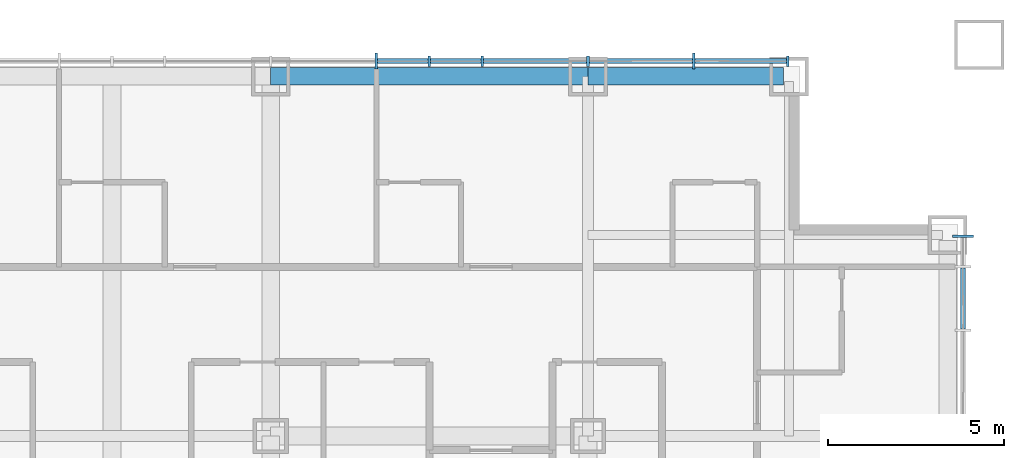
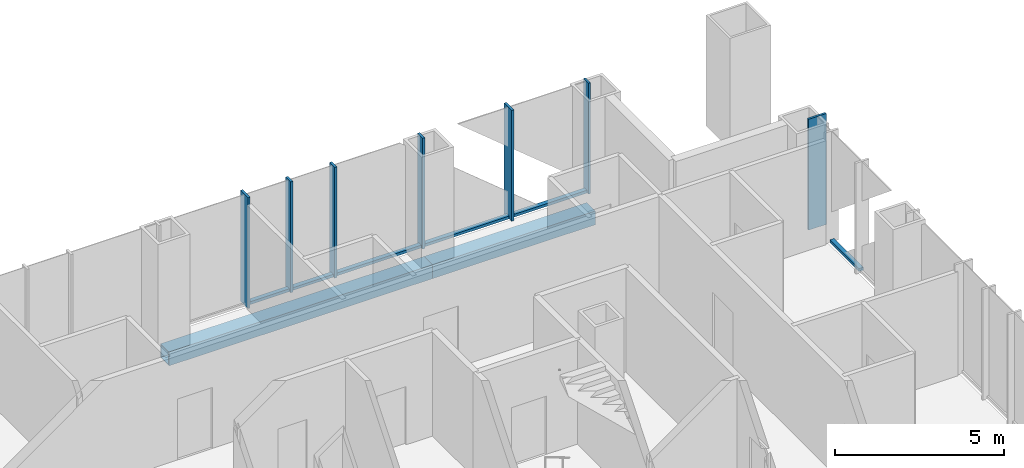
# One storey, part 6 of 13: 13 members, 2 beams, 2 elements without a shape of their own.
"""IFC4 building model written with IfcOpenShell, lengths in metres."""

from ifc_helpers import new_model, si_unit, direction, frame, origin, origin_2d, place, context, subcontext, project, spatial, rectangle, hollow_rectangle, extrude, material, layer, layer_set, material_profile, profile_set, type_object, element, aggregate, save


model = new_model("IFC4")

# Units and contexts
model_context = context("Model", 3, precision=1e-05, world=origin(), true_north=direction((0.0, 1.0)))
body_context = subcontext(model_context, "Body", "Model", "MODEL_VIEW")
ifc_project = project(units=[si_unit("LENGTHUNIT", "METRE"), si_unit("AREAUNIT", "SQUARE_METRE"), si_unit("VOLUMEUNIT", "CUBIC_METRE"), si_unit("PLANEANGLEUNIT", "RADIAN"), si_unit("MASSUNIT", "GRAM", prefix="KILO")], contexts=[model_context])

# Site, building, storey
site_placement = place(None, origin())
site = spatial("IfcSite", under=ifc_project, at=site_placement, CompositionType="ELEMENT")
building_placement = place(site_placement, origin())
building = spatial("IfcBuilding", under=site, at=building_placement, Name="Malebo Sky Hospital", CompositionType="ELEMENT")
storey_placement = place(building_placement, frame((0.0, 0.0, 104.0)))
storey = spatial("IfcBuildingStorey", under=building, at=storey_placement, Name="L24", CompositionType="ELEMENT", Elevation=104.0)

# Curtain wall, members
ifc_material_1 = material(Name="Anodised aluminium, natural silver", Category="aluminium")
ifc_layer_1 = layer(ifc_material_1, 0.25)
ifc_layer_set_1 = layer_set([ifc_layer_1], Name="WARD CURTAIN WALL NORTH AND SOUTH")
curtain_wall_type_1 = type_object("IfcCurtainWallType", Name="WARD CURTAIN WALL NORTH AND SOUTH", PredefinedType="NOTDEFINED", material=ifc_layer_set_1)
curtain_wall_1_placement = place(storey_placement, origin())
curtain_wall_1 = element("IfcCurtainWall", 1, at=curtain_wall_1_placement, inside=storey, type_object=curtain_wall_type_1, Name="NS curtain wall N", PredefinedType="NOTDEFINED")
ifc_material_profile_1 = material_profile(ifc_material_1, rectangle(XDim=0.14990234375, YDim=0.10009765625, at=origin_2d()), Name="ALUMINIUM TRANSOM 150x100")
ifc_profile_set_1 = profile_set([ifc_material_profile_1], Name="Anodised aluminium, natural silver")
member_type_1 = type_object("IfcMemberType", Name="ALUMINIUM TRANSOM 150x100", PredefinedType="USERDEFINED", material=ifc_profile_set_1)
member_1_placement = place(storey_placement, frame((67.53759765625, 86.135009765625, 0.050048828125), z_axis=(1.0, 0.0, 0.0), x_axis=(0.0, 1.0, 0.0)))
member_1 = element("IfcMember", 2, at=member_1_placement, type_object=member_type_1, Name="Transom 13", ObjectType="TRANSOM", PredefinedType="USERDEFINED", context=body_context, shape_type="SweptSolid", body=[
    extrude(rectangle(XDim=0.14990234375, YDim=0.10009765625, at=origin_2d()), origin(), (0.0, 0.0, 1.0), 1.4248046875),
])
member_2_placement = place(storey_placement, frame((69.03759765625, 86.135009765625, 0.050048828125), z_axis=(1.0, 0.0, 0.0), x_axis=(0.0, 1.0, 0.0)))
member_2 = element("IfcMember", 3, at=member_2_placement, type_object=member_type_1, Name="Transom 14", ObjectType="TRANSOM", PredefinedType="USERDEFINED", context=body_context, shape_type="SweptSolid", body=[
    extrude(rectangle(XDim=0.14990234375, YDim=0.10009765625, at=origin_2d()), origin(), (0.0, 0.0, 1.0), 1.4248046875),
])
member_3_placement = place(storey_placement, frame((70.53759765625, 86.135009765625, 0.050048828125), z_axis=(1.0, 0.0, 0.0), x_axis=(0.0, 1.0, 0.0)))
member_3 = element("IfcMember", 4, at=member_3_placement, type_object=member_type_1, Name="Transom 15", ObjectType="TRANSOM", PredefinedType="USERDEFINED", context=body_context, shape_type="SweptSolid", body=[
    extrude(rectangle(XDim=0.14990234375, YDim=0.10009765625, at=origin_2d()), origin(), (0.0, 0.0, 1.0), 2.9248046875),
])
member_4_placement = place(storey_placement, frame((73.53759765625, 86.135009765625, 0.050048828125), z_axis=(1.0, 0.0, 0.0), x_axis=(0.0, 1.0, 0.0)))
member_4 = element("IfcMember", 5, at=member_4_placement, type_object=member_type_1, Name="Transom 16", ObjectType="TRANSOM", PredefinedType="USERDEFINED", context=body_context, shape_type="SweptSolid", body=[
    extrude(rectangle(XDim=0.14990234375, YDim=0.10009765625, at=origin_2d()), origin(), (0.0, 0.0, 1.0), 2.9248046875),
])
member_5_placement = place(storey_placement, frame((76.53759765625, 86.135009765625, 0.050048828125), z_axis=(1.0, 0.0, 0.0), x_axis=(0.0, 1.0, 0.0)))
member_5 = element("IfcMember", 6, at=member_5_placement, type_object=member_type_1, Name="Transom 17", ObjectType="TRANSOM", PredefinedType="USERDEFINED", context=body_context, shape_type="SweptSolid", body=[
    extrude(rectangle(XDim=0.14990234375, YDim=0.10009765625, at=origin_2d()), origin(), (0.0, 0.0, 1.0), 2.58740234375),
])

# Curtain wall, member
ifc_layer_2 = layer(ifc_material_1, 0.25)
ifc_layer_set_2 = layer_set([ifc_layer_2], Name="WARD CURTAIN WALL EAST AND WEST")
curtain_wall_type_2 = type_object("IfcCurtainWallType", Name="WARD CURTAIN WALL EAST AND WEST", PredefinedType="NOTDEFINED", material=ifc_layer_set_2)
curtain_wall_2_placement = place(storey_placement, origin())
curtain_wall_2 = element("IfcCurtainWall", 7, at=curtain_wall_2_placement, inside=storey, type_object=curtain_wall_type_2, Name="EW curtain wall E", PredefinedType="NOTDEFINED")
member_6_placement = place(storey_placement, frame((84.135009765625, 80.262451171875, 0.050048828125), z_axis=(0.0, -1.0, 0.0), x_axis=(1.0, 0.0, 0.0)))
member_6 = element("IfcMember", 8, at=member_6_placement, type_object=member_type_1, Name="Transom 2", ObjectType="TRANSOM", PredefinedType="USERDEFINED", context=body_context, shape_type="SweptSolid", body=[
    extrude(rectangle(XDim=0.14990234375, YDim=0.10009765625, at=origin_2d()), origin(), (0.0, 0.0, 1.0), 1.724853515625),
])

# Member
ifc_material_profile_2 = material_profile(ifc_material_1, rectangle(XDim=0.074951171875, YDim=0.300048828125, at=origin_2d()), Name="CW1 ALUMINIUM FIN MULLION 75x300")
ifc_profile_set_2 = profile_set([ifc_material_profile_2], Name="Anodised aluminium, natural silver")
member_type_2 = type_object("IfcMemberType", Name="CW1 ALUMINIUM FIN MULLION 75x300", PredefinedType="MULLION", material=ifc_profile_set_2)
member_7_placement = place(storey_placement, frame((69.0, 86.135009765625, 0.0), z_axis=(0.0, 0.0, 1.0), x_axis=(1.0, 0.0, 0.0)))
member_7 = element("IfcMember", 9, at=member_7_placement, type_object=member_type_2, Name="Fin mullion 14", PredefinedType="MULLION", context=body_context, shape_type="SweptSolid", body=[
    extrude(rectangle(XDim=0.074951171875, YDim=0.300048828125, at=origin_2d()), origin(), (0.0, 0.0, 1.0), 4.0),
])

member_8_placement = place(storey_placement, frame((70.5, 86.135009765625, 0.0), z_axis=(0.0, 0.0, 1.0), x_axis=(1.0, 0.0, 0.0)))
member_8 = element("IfcMember", 10, at=member_8_placement, type_object=member_type_2, Name="Fin mullion 15", PredefinedType="MULLION", context=body_context, shape_type="SweptSolid", body=[
    extrude(rectangle(XDim=0.074951171875, YDim=0.300048828125, at=origin_2d()), origin(), (0.0, 0.0, 1.0), 4.0),
])

member_9_placement = place(storey_placement, frame((73.5, 86.135009765625, 0.0), z_axis=(0.0, 0.0, 1.0), x_axis=(1.0, 0.0, 0.0)))
member_9 = element("IfcMember", 11, at=member_9_placement, type_object=member_type_2, Name="Fin mullion 16", PredefinedType="MULLION", context=body_context, shape_type="SweptSolid", body=[
    extrude(rectangle(XDim=0.074951171875, YDim=0.300048828125, at=origin_2d()), origin(), (0.0, 0.0, 1.0), 4.0),
])

member_10_placement = place(storey_placement, frame((79.16259765625, 86.135009765625, 0.0), z_axis=(0.0, 0.0, 1.0), x_axis=(1.0, 0.0, 0.0)))
member_10 = element("IfcMember", 12, at=member_10_placement, type_object=member_type_2, Name="Fin mullion 18", PredefinedType="MULLION", context=body_context, shape_type="SweptSolid", body=[
    extrude(rectangle(XDim=0.074951171875, YDim=0.300048828125, at=origin_2d()), origin(), (0.0, 0.0, 1.0), 4.0),
])

ifc_material_profile_3 = material_profile(ifc_material_1, rectangle(XDim=0.074951171875, YDim=0.449951171875, at=origin_2d()), Name="CW1 ALUMINIUM FIN MULLION 75x450")
ifc_profile_set_3 = profile_set([ifc_material_profile_3], Name="Anodised aluminium, natural silver")
member_type_3 = type_object("IfcMemberType", Name="CW1 ALUMINIUM FIN MULLION 75x450", PredefinedType="MULLION", material=ifc_profile_set_3)
member_11_placement = place(storey_placement, frame((67.5, 86.135009765625, 0.0), z_axis=(0.0, 0.0, 1.0), x_axis=(1.0, 0.0, 0.0)))
member_11 = element("IfcMember", 13, at=member_11_placement, type_object=member_type_3, Name="Fin mullion 13", PredefinedType="MULLION", context=body_context, shape_type="SweptSolid", body=[
    extrude(rectangle(XDim=0.074951171875, YDim=0.449951171875, at=origin_2d()), origin(), (0.0, 0.0, 1.0), 4.0),
])

member_12_placement = place(storey_placement, frame((76.5, 86.135009765625, 0.0), z_axis=(0.0, 0.0, 1.0), x_axis=(1.0, 0.0, 0.0)))
member_12 = element("IfcMember", 14, at=member_12_placement, type_object=member_type_3, Name="Fin mullion 17", PredefinedType="MULLION", context=body_context, shape_type="SweptSolid", body=[
    extrude(rectangle(XDim=0.074951171875, YDim=0.449951171875, at=origin_2d()), origin(), (0.0, 0.0, 1.0), 4.0),
])

aggregate(curtain_wall_1, [member_11, member_7, member_8, member_9, member_12, member_10, member_1, member_2, member_3, member_4, member_5])

ifc_material_profile_4 = material_profile(ifc_material_1, rectangle(XDim=0.074951171875, YDim=0.60009765625, at=origin_2d()), Name="CW2 ALUMINIUM FIN MULLION 75x600")
ifc_profile_set_4 = profile_set([ifc_material_profile_4], Name="Anodised aluminium, natural silver")
member_type_4 = type_object("IfcMemberType", Name="CW2 ALUMINIUM FIN MULLION 75x600", PredefinedType="MULLION", material=ifc_profile_set_4)
member_13_placement = place(storey_placement, frame((84.135009765625, 81.16259765625, 0.0), z_axis=(0.0, 0.0, 1.0), x_axis=(0.0, -1.0, 0.0)))
member_13 = element("IfcMember", 15, at=member_13_placement, type_object=member_type_4, Name="Fin mullion 1", PredefinedType="MULLION", context=body_context, shape_type="SweptSolid", body=[
    extrude(rectangle(XDim=0.074951171875, YDim=0.60009765625, at=origin_2d()), origin(), (0.0, 0.0, 1.0), 4.0),
])

aggregate(curtain_wall_2, [member_13, member_6])

# Beams
ifc_material_2 = material(Name="Steel S460", Category="steel")
ifc_material_profile_5 = material_profile(ifc_material_2, hollow_rectangle(XDim=0.5, YDim=0.5, WallThickness=0.030029296875, at=origin_2d()), Name="BOX 500x500x30")
ifc_profile_set_5 = profile_set([ifc_material_profile_5], Name="Steel S460")
beam_type = type_object("IfcBeamType", Name="EDGE BEAM BOX 500x500x30", PredefinedType="BEAM", material=ifc_profile_set_5)
beam_1_placement = place(storey_placement, frame((64.5, 85.699951171875, -0.5), z_axis=(1.0, 0.0, 0.0), x_axis=(0.0, 1.0, 0.0)))
element("IfcBeam", 16, at=beam_1_placement, inside=storey, type_object=beam_type, Name="Beam 066 L24", PredefinedType="BEAM", context=body_context, shape_type="SweptSolid", body=[
    extrude(hollow_rectangle(XDim=0.5, YDim=0.5, WallThickness=0.030029296875, at=origin_2d()), origin(), (0.0, 0.0, 1.0), 9.0),
])
beam_2_placement = place(storey_placement, frame((73.5, 85.699951171875, -0.5), z_axis=(1.0, 0.0, 0.0), x_axis=(0.0, 1.0, 0.0)))
element("IfcBeam", 17, at=beam_2_placement, inside=storey, type_object=beam_type, Name="Beam 067 L24", PredefinedType="BEAM", context=body_context, shape_type="SweptSolid", body=[
    extrude(hollow_rectangle(XDim=0.5, YDim=0.5, WallThickness=0.030029296875, at=origin_2d()), origin(), (0.0, 0.0, 1.0), 5.550048828125),
])

save(model, "model.ifc")
